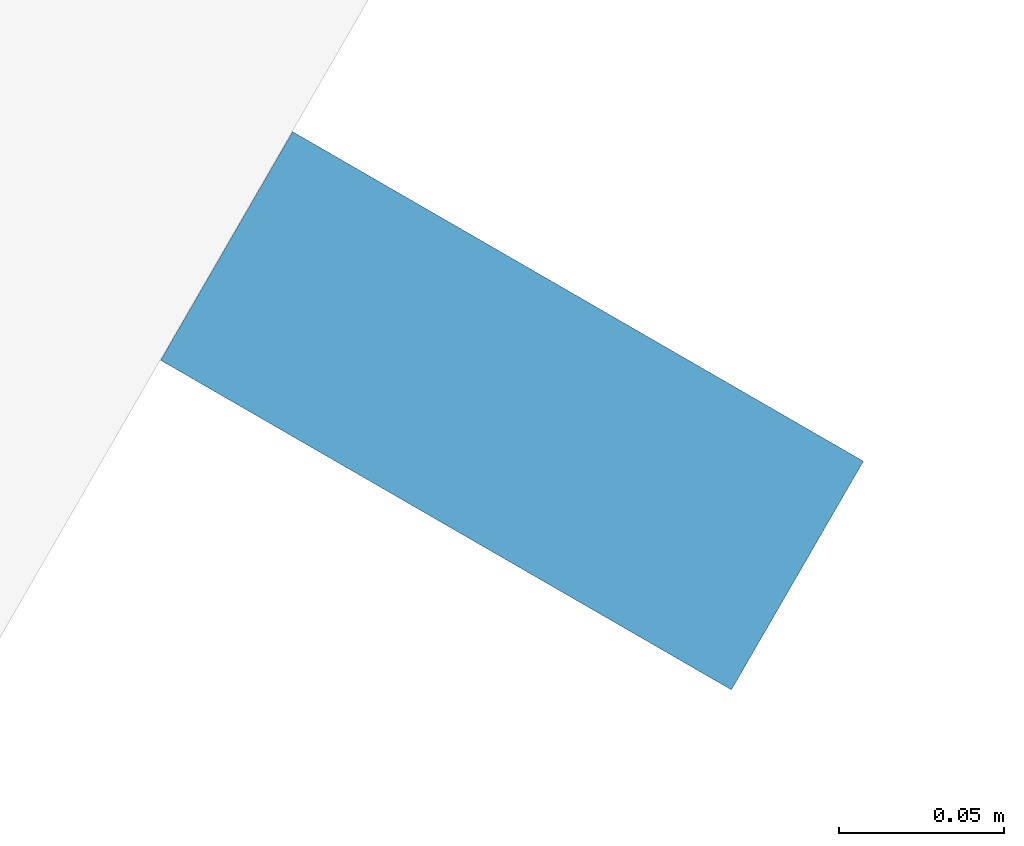
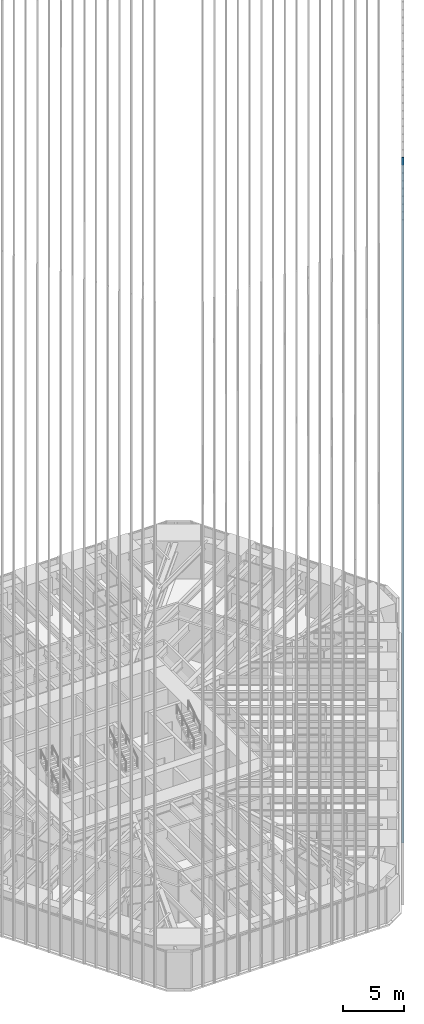
# One storey, part 92 of 256: 1 member, 1 element without a shape of its own.
"""IFC4 building model written with IfcOpenShell, lengths in metres."""

import ifcopenshell
import ifcopenshell.guid

model = None  # the IFC model being written
_history = None  # IfcOwnerHistory: only IFC2X3 demands one
_inside = {}  # id of a spatial element -> (the spatial element, [elements in it])
_under = {}  # id of a project, library or spatial element -> (it, [spatial elements below it])
_declared = {}  # id of a project -> (the project, [libraries it declares])
_typed = {}  # id of a type object -> (the type object, [elements of that type])
_made_of = {}  # id of a material, layer set ... -> (it, [elements and type objects made of it])


def new_model(schema):
    """Start an empty IFC model of exactly this schema.

    Asked for "IFC4X3", IfcOpenShell would pick the latest addendum, in which some entities
    have other attributes; the version numbers below select the first issue.
    IFC2X3 requires an IfcOwnerHistory on every rooted entity: one is made here for all.
    """
    global model, _history
    if schema == "IFC4X3":
        model = ifcopenshell.file(schema_version=(4, 3, 0, 0))
    else:
        model = ifcopenshell.file(schema=schema)
    _inside.clear()
    _under.clear()
    _declared.clear()
    _typed.clear()
    _made_of.clear()
    _history = None
    if model.schema == "IFC2X3":
        org = make("IfcOrganization", Name="unknown")
        user = make(
            "IfcPersonAndOrganization",
            ThePerson=make("IfcPerson", FamilyName="unknown"),
            TheOrganization=org,
        )
        app = make(
            "IfcApplication",
            ApplicationDeveloper=org,
            Version="unknown",
            ApplicationFullName="unknown",
            ApplicationIdentifier="unknown",
        )
        _history = make(
            "IfcOwnerHistory",
            OwningUser=user,
            OwningApplication=app,
            ChangeAction="ADDED",
            CreationDate=0,
        )
    return model


def make(cls, **values):
    """One entity of the class cls with the attributes given. An attribute that is None is left unset."""
    return model.create_entity(
        cls, **{name: value for name, value in values.items() if value is not None}
    )


def rooted(cls, **values):
    """An entity with a GlobalId (a new one), such as an element, a storey or a relation."""
    return make(cls, GlobalId=ifcopenshell.guid.new(), OwnerHistory=_history, **values)


def si_unit(unit_type, name, prefix=None):
    """IfcSIUnit, for example si_unit("LENGTHUNIT", "METRE", prefix="MILLI")."""
    return make("IfcSIUnit", UnitType=unit_type, Prefix=prefix, Name=name)


def assignment(units):
    """IfcUnitAssignment: the units of a project."""
    return None if units is None else make("IfcUnitAssignment", Units=units)


def point(xyz):
    """IfcCartesianPoint."""
    return None if xyz is None else make("IfcCartesianPoint", Coordinates=xyz)


def direction(xyz):
    """IfcDirection."""
    return None if xyz is None else make("IfcDirection", DirectionRatios=xyz)


def frame(location, z_axis=None, x_axis=None):
    """IfcAxis2Placement3D, a coordinate frame: its origin and axes. An axis left out is left unset."""
    return make(
        "IfcAxis2Placement3D",
        Location=point(location),
        Axis=direction(z_axis),
        RefDirection=direction(x_axis),
    )


def frame_2d(location, x_axis=None):
    """IfcAxis2Placement2D, a coordinate frame in the plane: its origin and x axis."""
    return make(
        "IfcAxis2Placement2D", Location=point(location), RefDirection=direction(x_axis)
    )


def origin():
    """The frame at (0, 0, 0) with its axes left unset."""
    return frame((0.0, 0.0, 0.0))


def origin_2d():
    """The frame at (0, 0) in the plane with its x axis left unset."""
    return frame_2d((0.0, 0.0))


def place(relative_to, where):
    """IfcLocalPlacement: puts the frame where relative to a parent placement (None: the world)."""
    return make(
        "IfcLocalPlacement", PlacementRelTo=relative_to, RelativePlacement=where
    )


def context(
    kind, dimensions, precision=None, world=None, true_north=None, identifier=None
):
    """IfcGeometricRepresentationContext, for example the 3D "Model" context."""
    return make(
        "IfcGeometricRepresentationContext",
        ContextIdentifier=identifier,
        ContextType=kind,
        CoordinateSpaceDimension=dimensions,
        Precision=precision,
        WorldCoordinateSystem=world,
        TrueNorth=true_north,
    )


def subcontext(parent, identifier, kind, view, scale=None):
    """IfcGeometricRepresentationSubContext, for example "Body" below "Model"."""
    return make(
        "IfcGeometricRepresentationSubContext",
        ContextIdentifier=identifier,
        ContextType=kind,
        ParentContext=parent,
        TargetScale=scale,
        TargetView=view,
    )


def project(units=None, contexts=None):
    """IfcProject with its units and contexts."""
    return rooted(
        "IfcProject",
        Name="project",
        RepresentationContexts=contexts,
        UnitsInContext=assignment(units),
    )


def spatial(cls, under=None, at=None, **own):
    """A site, building, storey or space (cls), placed at a placement, below another one or the project."""
    s = rooted(cls, ObjectPlacement=at, **own)
    if under is not None:
        _under.setdefault(under.id(), (under, []))[1].append(s)
    return s


def profile(cls, at=None, kind="AREA", **sizes):
    """A parametric profile (cls). Its sizes go by their IFC names, for example OverallWidth=200.0."""
    return make(cls, ProfileType=kind, Position=at, **sizes)


def rectangle(**sizes):
    """IfcRectangleProfileDef."""
    return profile("IfcRectangleProfileDef", **sizes)


def extrude(swept, where, along, depth):
    """IfcExtrudedAreaSolid: the profile swept, set in the frame where, extruded along a direction by depth."""
    return make(
        "IfcExtrudedAreaSolid",
        SweptArea=swept,
        Position=where,
        ExtrudedDirection=direction(along),
        Depth=depth,
    )


def shape(context_of_items, identifier, shape_type, items):
    """IfcShapeRepresentation: the items that make up one representation, for example the "Body"."""
    return make(
        "IfcShapeRepresentation",
        ContextOfItems=context_of_items,
        RepresentationIdentifier=identifier,
        RepresentationType=shape_type,
        Items=items,
    )


def material(Name=None, Category=None):
    """IfcMaterial."""
    return make("IfcMaterial", Name=Name, Category=Category)


def material_profile(
    of_material, cross_section, Name=None, Category=None, Priority=None
):
    """IfcMaterialProfile: a cross section and its material."""
    return make(
        "IfcMaterialProfile",
        Name=Name,
        Material=of_material,
        Profile=cross_section,
        Priority=Priority,
        Category=Category,
    )


def profile_set(profiles, Name=None, composite=None):
    """IfcMaterialProfileSet."""
    return make(
        "IfcMaterialProfileSet",
        Name=Name,
        MaterialProfiles=profiles,
        CompositeProfile=composite,
    )


def made_of(thing, what):
    """Note that an element or type object is made of a material, layer set ...; save() writes the relation."""
    if what is not None:
        _made_of.setdefault(what.id(), (what, []))[1].append(thing)
    return thing


def type_object(cls, material=None, **own):
    """A type object (cls), such as IfcWallType, which elements share."""
    return made_of(rooted(cls, **own), material)


def element(
    cls,
    number,
    at=None,
    inside=None,
    cuts=None,
    type_object=None,
    material=None,
    context=None,
    identifier="Body",
    shape_type=None,
    held_by="IfcProductDefinitionShape",
    body=None,
    shapes=None,
    **own,
):
    """One element of the class cls, such as IfcWall. Its Tag is "e" and its number.

    at: its placement. inside: the storey or other place that contains it. cuts: it is an
    opening in that element (IfcRelVoidsElement). A single representation is given by context,
    identifier, shape_type and body (its items); several are given by shapes. held_by: the class
    of the entity that holds the representations. save() writes the other relations.
    """
    e = rooted(cls, Tag="e%d" % number, ObjectPlacement=at, **own)
    if body is not None:
        shapes = [shape(context, identifier, shape_type, body)]
    if shapes is not None:
        e.Representation = make(held_by, Representations=shapes)
    if inside is not None:
        _inside.setdefault(inside.id(), (inside, []))[1].append(e)
    if cuts is not None:
        rooted(
            "IfcRelVoidsElement", RelatingBuildingElement=cuts, RelatedOpeningElement=e
        )
    if type_object is not None:
        _typed.setdefault(type_object.id(), (type_object, []))[1].append(e)
    return made_of(e, material)


def aggregate(whole, parts):
    """IfcRelAggregates: a whole, such as a stair, and the parts it consists of."""
    return rooted("IfcRelAggregates", RelatingObject=whole, RelatedObjects=parts)


def save(model, path):
    """Write the relations noted so far, then the file.

    IfcRelAggregates (storeys below a building ...), IfcRelContainedInSpatialStructure (elements
    in a storey), IfcRelDefinesByType, IfcRelAssociatesMaterial and IfcRelDeclares: one each for
    every whole, place, type object, material and project.
    """
    for whole, parts in _under.values():
        aggregate(whole, parts)
    for where, things in _inside.values():
        rooted(
            "IfcRelContainedInSpatialStructure",
            RelatedElements=things,
            RelatingStructure=where,
        )
    for kind, things in _typed.values():
        rooted("IfcRelDefinesByType", RelatedObjects=things, RelatingType=kind)
    for what, things in _made_of.values():
        rooted("IfcRelAssociatesMaterial", RelatedObjects=things, RelatingMaterial=what)
    for by, libraries in _declared.values():
        rooted("IfcRelDeclares", RelatingContext=by, RelatedDefinitions=libraries)
    model.write(path)


model = new_model("IFC4")

# Units and contexts
model_context = context("Model", 3, precision=1e-05, world=origin(), true_north=direction((0.0, 1.0)))
body_context = subcontext(model_context, "Body", "Model", "MODEL_VIEW")
ifc_project = project(units=[si_unit("LENGTHUNIT", "METRE"), si_unit("AREAUNIT", "SQUARE_METRE"), si_unit("VOLUMEUNIT", "CUBIC_METRE"), si_unit("PLANEANGLEUNIT", "RADIAN"), si_unit("MASSUNIT", "GRAM", prefix="KILO")], contexts=[model_context])

# Site, building, storey
site_placement = place(None, origin())
site = spatial("IfcSite", under=ifc_project, at=site_placement, CompositionType="ELEMENT")
building_placement = place(site_placement, origin())
building = spatial("IfcBuilding", under=site, at=building_placement, Name="Sandreach Pilgrim Tower", CompositionType="ELEMENT")
storey_placement = place(building_placement, frame((0.0, 0.0, 23.0)))
storey = spatial("IfcBuildingStorey", under=building, at=storey_placement, Name="L04", CompositionType="ELEMENT", Elevation=23.0)

# Curtain wall, member
ifc_material_1 = material(Name="Aluminium framed curtain wall", Category="aluminium")
curtain_wall_type = type_object("IfcCurtainWallType", Name="Hostel tower curtain wall", PredefinedType="NOTDEFINED", material=ifc_material_1)
curtain_wall_placement = place(storey_placement, origin())
curtain_wall = element("IfcCurtainWall", 1, at=curtain_wall_placement, inside=storey, type_object=curtain_wall_type, Name="CW-1 L04 SE", PredefinedType="NOTDEFINED")
ifc_material_2 = material(Name="Extruded terracotta on aluminium core", Category="masonry")
ifc_material_profile = material_profile(ifc_material_2, rectangle(XDim=0.080078125, YDim=0.199951171875, at=origin_2d()), Name="TBE 80X200")
ifc_profile_set = profile_set([ifc_material_profile], Name="Extruded terracotta on aluminium core")
member_type = type_object("IfcMemberType", Name="Terracotta baguette east", PredefinedType="USERDEFINED", material=ifc_profile_set)
member_placement = place(storey_placement, frame((16.11083984375, -20.792724609375, 0.0), z_axis=(0.0, 0.0, 1.0), x_axis=(-0.5, -0.866025403784, 0.0)))
member = element("IfcMember", 2, at=member_placement, type_object=member_type, Name="Baguette Z1 SE27", ObjectType="BAGUETTE", PredefinedType="USERDEFINED", context=body_context, shape_type="SweptSolid", body=[
    extrude(rectangle(XDim=0.080078125, YDim=0.199951171875, at=origin_2d()), origin(), (0.0, 0.0, 1.0), 68.239990234375),
])
aggregate(curtain_wall, [member])

save(model, "model.ifc")
